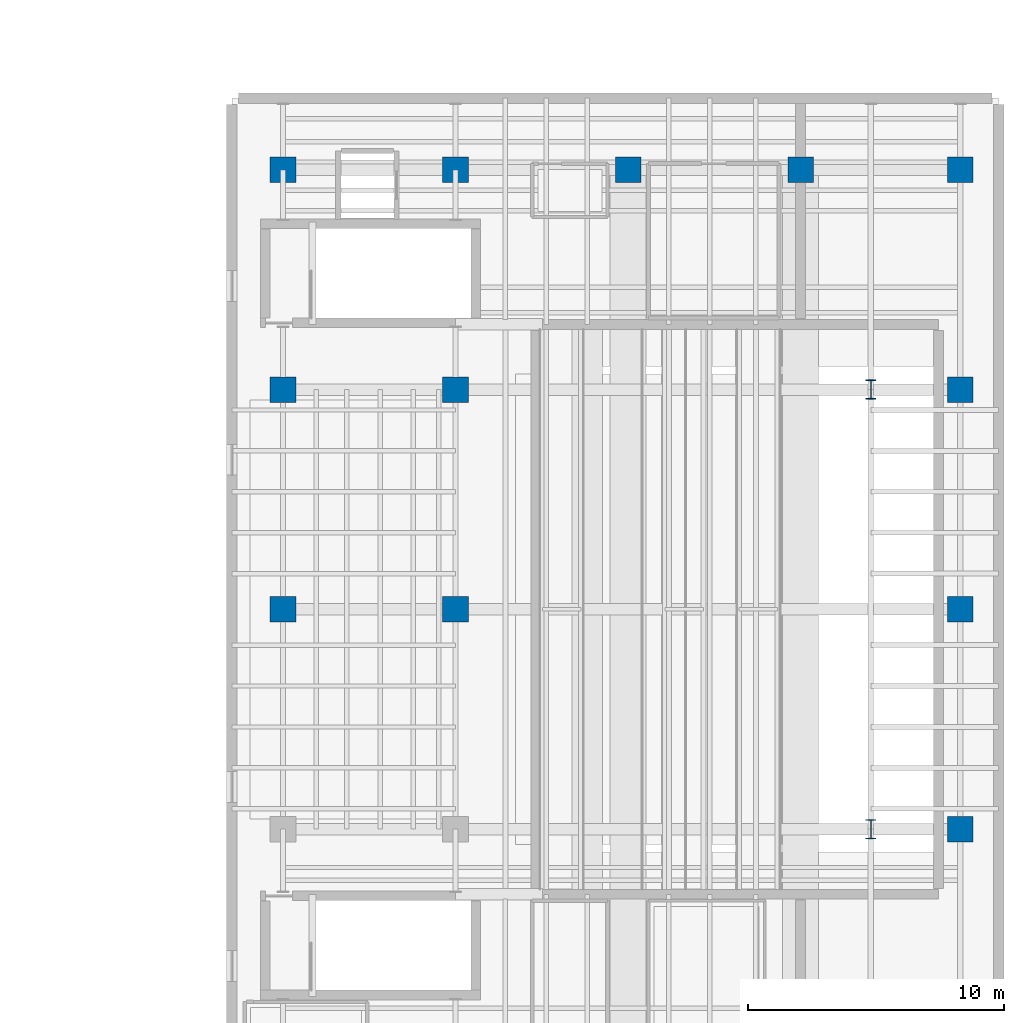
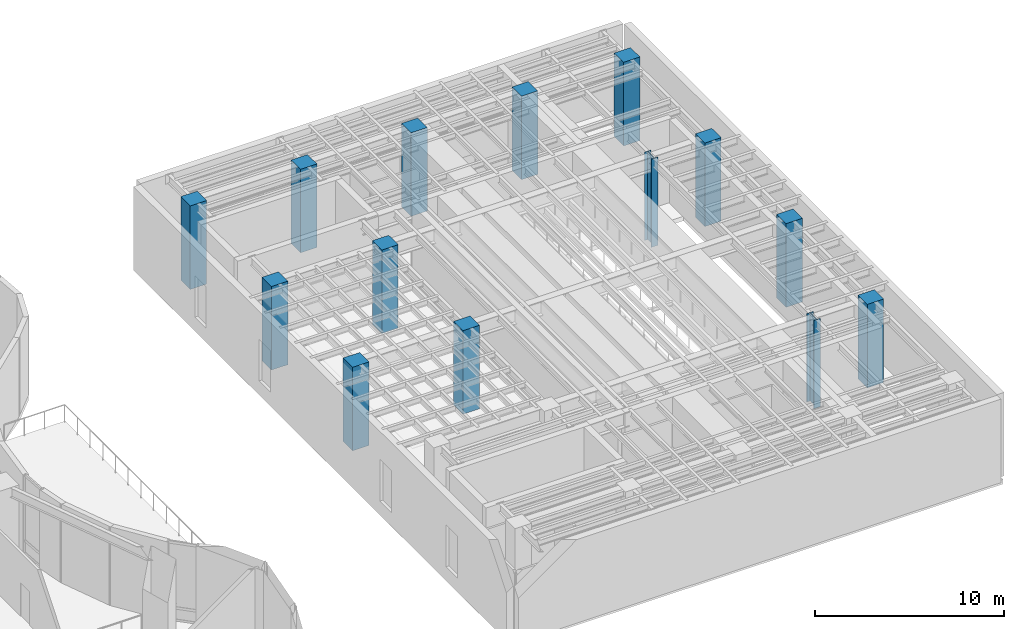
# One storey, part 2 of 19: 14 columns.
"""IFC4 building model written with IfcOpenShell, lengths in metres."""

from ifc_helpers import new_model, si_unit, direction, frame, origin, origin_2d, place, context, subcontext, project, spatial, rectangle, i_section, extrude, material, material_profile, profile_set, type_object, element, save


model = new_model("IFC4")

# Units and contexts
model_context = context("Model", 3, precision=1e-05, world=origin(), true_north=direction((0.0, 1.0)))
body_context = subcontext(model_context, "Body", "Model", "MODEL_VIEW")
ifc_project = project(units=[si_unit("LENGTHUNIT", "METRE"), si_unit("AREAUNIT", "SQUARE_METRE"), si_unit("VOLUMEUNIT", "CUBIC_METRE"), si_unit("PLANEANGLEUNIT", "RADIAN"), si_unit("MASSUNIT", "GRAM", prefix="KILO")], contexts=[model_context])

# Site, building, storey
site_placement = place(None, origin())
site = spatial("IfcSite", under=ifc_project, at=site_placement, CompositionType="ELEMENT")
building_placement = place(site_placement, origin())
building = spatial("IfcBuilding", under=site, at=building_placement, Name="Korentha Bioscience Tower", CompositionType="ELEMENT")
storey_placement = place(building_placement, frame((0.0, 0.0, 20.39990234375)))
storey = spatial("IfcBuildingStorey", under=building, at=storey_placement, Name="L04", CompositionType="ELEMENT", Elevation=20.39990234375)

# Columns
ifc_material_1 = material(Name="Steel S355", Category="steel")
ifc_material_profile_1 = material_profile(ifc_material_1, i_section(OverallWidth=0.39990234375, OverallDepth=0.75, WebThickness=0.01611328125, FlangeThickness=0.028076171875, at=origin_2d()), Name="Steel S355")
ifc_profile_set_1 = profile_set([ifc_material_profile_1], Name="Steel S355 (TC-02)")
column_type_1 = type_object("IfcColumnType", Name="Theatre Fly-Tower Column CVS 750x256", PredefinedType="COLUMN", material=ifc_profile_set_1)
for number, where, z_axis, x_axis, name in (
    (1, (89.5, 18.39990234375, -0.2998046875), (0.0, 0.0, 1.0), (1.0, 0.0, 0.0), "L04 Fly-Tower Steel Column S"),
    (2, (89.5, 35.60009765625, -0.2998046875), (0.0, 0.0, 1.0), (1.0, 0.0, 0.0), "L04 Fly-Tower Steel Column N"),
):
    element("IfcColumn", number, at=place(storey_placement, frame(where, z_axis=z_axis, x_axis=x_axis)), inside=storey, type_object=column_type_1, Name=name, PredefinedType="COLUMN", context=body_context, shape_type="SweptSolid", body=[
        extrude(i_section(OverallWidth=0.39990234375, OverallDepth=0.75, WebThickness=0.01611328125, FlangeThickness=0.028076171875, at=origin_2d()), origin(), (0.0, 0.0, 1.0), 5.699951171875),
    ])
ifc_material_2 = material(Name="Concrete C50", Category="concrete")
ifc_material_profile_2 = material_profile(ifc_material_2, rectangle(XDim=1.0, YDim=1.0, at=origin_2d()), Name="Concrete C50")
ifc_profile_set_2 = profile_set([ifc_material_profile_2], Name="Concrete C50 (TC-I01)")
column_type_2 = type_object("IfcColumnType", Name="Theatre Interior Column RC 1000x1000", PredefinedType="COLUMN", material=ifc_profile_set_2)
for number, where, z_axis, x_axis, name in (
    (3, (73.25, 27.0, 0.0), (0.0, 0.0, 1.0), (1.0, 0.0, 0.0), "L04 Theatre Column 2-3"),
    (4, (73.25, 35.60009765625, 0.0), (0.0, 0.0, 1.0), (1.0, 0.0, 0.0), "L04 Theatre Column 2-4"),
):
    element("IfcColumn", number, at=place(storey_placement, frame(where, z_axis=z_axis, x_axis=x_axis)), inside=storey, type_object=column_type_2, Name=name, PredefinedType="COLUMN", context=body_context, shape_type="SweptSolid", body=[
        extrude(rectangle(XDim=1.0, YDim=1.0, at=origin_2d()), origin(), (0.0, 0.0, 1.0), 5.400146484375),
    ])
ifc_material_profile_3 = material_profile(ifc_material_2, rectangle(XDim=1.0, YDim=1.0, at=origin_2d()), Name="Concrete C50")
ifc_profile_set_3 = profile_set([ifc_material_profile_3], Name="Concrete C50 (TC-01)")
column_type_3 = type_object("IfcColumnType", Name="Theatre Primary Column RC 1000x1000", PredefinedType="COLUMN", material=ifc_profile_set_3)
for number, where, z_axis, x_axis, name in (
    (5, (66.5, 27.0, 0.0), (0.0, 0.0, 1.0), (1.0, 0.0, 0.0), "L04 Theatre Column 1-3"),
    (6, (66.5, 35.60009765625, 0.0), (0.0, 0.0, 1.0), (1.0, 0.0, 0.0), "L04 Theatre Column 1-4"),
    (7, (66.5, 44.199951171875, 0.0), (0.0, 0.0, 1.0), (1.0, 0.0, 0.0), "L04 Theatre Column 1-5"),
    (8, (73.25, 44.199951171875, 0.0), (0.0, 0.0, 1.0), (1.0, 0.0, 0.0), "L04 Theatre Column 2-5"),
    (9, (80.0, 44.199951171875, 0.0), (0.0, 0.0, 1.0), (1.0, 0.0, 0.0), "L04 Theatre Column 3-5"),
    (10, (86.75, 44.199951171875, 0.0), (0.0, 0.0, 1.0), (1.0, 0.0, 0.0), "L04 Theatre Column 4-5"),
    (11, (93.0, 18.39990234375, 0.0), (0.0, 0.0, 1.0), (1.0, 0.0, 0.0), "L04 Theatre Column 5-2"),
    (12, (93.0, 27.0, 0.0), (0.0, 0.0, 1.0), (1.0, 0.0, 0.0), "L04 Theatre Column 5-3"),
    (13, (93.0, 35.60009765625, 0.0), (0.0, 0.0, 1.0), (1.0, 0.0, 0.0), "L04 Theatre Column 5-4"),
    (14, (93.0, 44.199951171875, 0.0), (0.0, 0.0, 1.0), (1.0, 0.0, 0.0), "L04 Theatre Column 5-5"),
):
    element("IfcColumn", number, at=place(storey_placement, frame(where, z_axis=z_axis, x_axis=x_axis)), inside=storey, type_object=column_type_3, Name=name, PredefinedType="COLUMN", context=body_context, shape_type="SweptSolid", body=[
        extrude(rectangle(XDim=1.0, YDim=1.0, at=origin_2d()), origin(), (0.0, 0.0, 1.0), 5.400146484375),
    ])

save(model, "model.ifc")
